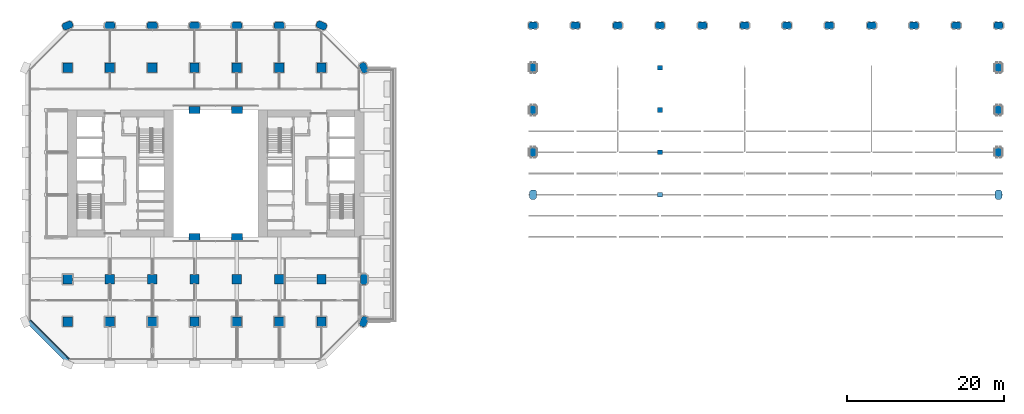
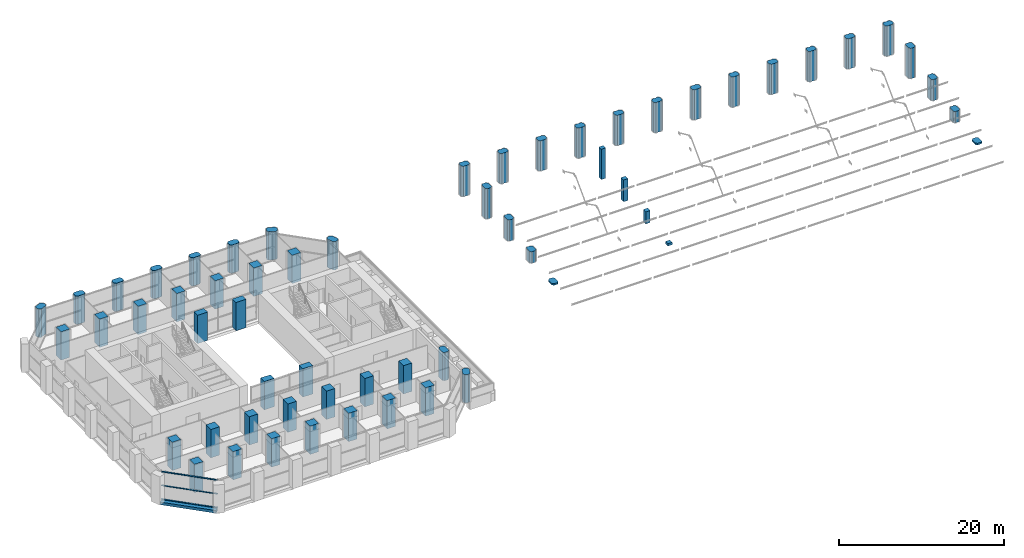
# One storey, part 1 of 23: 59 columns, 3 members, 1 beam, 1 element without a shape of its own.
"""IFC4 building model written with IfcOpenShell, lengths in metres."""

from ifc_helpers import new_model, si_unit, direction, frame, origin, origin_2d, place, context, subcontext, project, spatial, polyline, rectangle, outline, extrude, material, material_profile, profile_set, type_object, element, aggregate, save


model = new_model("IFC4")

# Units and contexts
model_context = context("Model", 3, precision=1e-05, world=origin(), true_north=direction((0.0, 1.0)))
body_context = subcontext(model_context, "Body", "Model", "MODEL_VIEW")
ifc_project = project(units=[si_unit("LENGTHUNIT", "METRE"), si_unit("AREAUNIT", "SQUARE_METRE"), si_unit("VOLUMEUNIT", "CUBIC_METRE"), si_unit("PLANEANGLEUNIT", "RADIAN"), si_unit("MASSUNIT", "GRAM", prefix="KILO")], contexts=[model_context])

# Site, building, storey
site_placement = place(None, origin())
site = spatial("IfcSite", under=ifc_project, at=site_placement, CompositionType="ELEMENT")
building_placement = place(site_placement, origin())
building = spatial("IfcBuilding", under=site, at=building_placement, Name="Tabaq Tower and Sports Hall", CompositionType="ELEMENT")
storey_placement = place(building_placement, frame((0.0, 0.0, 29.10009765625)))
storey = spatial("IfcBuildingStorey", under=building, at=storey_placement, Name="L05", CompositionType="ELEMENT", Elevation=29.10009765625)

# Columns
ifc_material_1 = material(Name="Concrete C50/60", Category="concrete")
ifc_material_profile_1 = material_profile(ifc_material_1, rectangle(XDim=0.60009765625, YDim=0.60009765625, at=origin_2d()), Name="RC 600x600")
ifc_profile_set_1 = profile_set([ifc_material_profile_1], Name="Concrete C50/60")
column_type_1 = type_object("IfcColumnType", Name="HALL COLUMN RC 600x600", PredefinedType="COLUMN", material=ifc_profile_set_1)
column_1_placement = place(storey_placement, frame((81.0, 21.60009765625, 0.0), z_axis=(0.0, 0.0, 1.0), x_axis=(1.0, 0.0, 0.0)))
element("IfcColumn", 1, at=column_1_placement, inside=storey, type_object=column_type_1, Name="Column 16E L05", PredefinedType="COLUMN", context=body_context, shape_type="SweptSolid", body=[
    extrude(rectangle(XDim=0.60009765625, YDim=0.60009765625, at=origin_2d()), origin(), (0.0, 0.0, 1.0), 0.329345703125),
])
column_2_placement = place(storey_placement, frame((81.0, 27.0, 0.0), z_axis=(0.0, 0.0, 1.0), x_axis=(1.0, 0.0, 0.0)))
element("IfcColumn", 2, at=column_2_placement, inside=storey, type_object=column_type_1, Name="Column 16F L05", PredefinedType="COLUMN", context=body_context, shape_type="SweptSolid", body=[
    extrude(rectangle(XDim=0.60009765625, YDim=0.60009765625, at=origin_2d()), origin(), (0.0, 0.0, 1.0), 1.7763671875),
])
column_3_placement = place(storey_placement, frame((81.0, 32.39990234375, 0.0), z_axis=(0.0, 0.0, 1.0), x_axis=(1.0, 0.0, 0.0)))
element("IfcColumn", 3, at=column_3_placement, inside=storey, type_object=column_type_1, Name="Column 16G L05", PredefinedType="COLUMN", context=body_context, shape_type="SweptSolid", body=[
    extrude(rectangle(XDim=0.60009765625, YDim=0.60009765625, at=origin_2d()), origin(), (0.0, 0.0, 1.0), 3.22314453125),
])
column_4_placement = place(storey_placement, frame((81.0, 37.800048828125, 0.0), z_axis=(0.0, 0.0, 1.0), x_axis=(1.0, 0.0, 0.0)))
element("IfcColumn", 4, at=column_4_placement, inside=storey, type_object=column_type_1, Name="Column 16H L05", PredefinedType="COLUMN", context=body_context, shape_type="SweptSolid", body=[
    extrude(rectangle(XDim=0.60009765625, YDim=0.60009765625, at=origin_2d()), origin(), (0.0, 0.0, 1.0), 4.5),
])
ifc_material_2 = material(Name="Concrete C50/60", Category="concrete")
ifc_material_profile_2 = material_profile(ifc_material_2, outline(polyline([(-0.39990234375, -0.449951171875), (0.39990234375, -0.449951171875), (0.60009765625, -0.25), (0.60009765625, 0.25), (0.39990234375, 0.449951171875), (-0.39990234375, 0.449951171875), (-0.60009765625, 0.25), (-0.60009765625, -0.25), (-0.39990234375, -0.449951171875)])), Name="PIER 1200x900")
ifc_profile_set_2 = profile_set([ifc_material_profile_2], Name="Concrete C50/60")
column_type_2 = type_object("IfcColumnType", Name="HALL PIER RC 1200x900", PredefinedType="COLUMN", material=ifc_profile_set_2)
column_5_placement = place(storey_placement, frame((64.800048828125, 21.60009765625, 0.0), z_axis=(0.0, 0.0, 1.0), x_axis=(0.0, 1.0, 0.0)))
element("IfcColumn", 5, at=column_5_placement, inside=storey, type_object=column_type_2, Name="Pier 13E L05", PredefinedType="COLUMN", context=body_context, shape_type="SweptSolid", body=[
    extrude(outline(polyline([(-0.39990234375, -0.449951171875), (0.39990234375, -0.449951171875), (0.60009765625, -0.25), (0.60009765625, 0.25), (0.39990234375, 0.449951171875), (-0.39990234375, 0.449951171875), (-0.60009765625, 0.25), (-0.60009765625, -0.25), (-0.39990234375, -0.449951171875)])), origin(), (0.0, 0.0, 1.0), 0.2490234375),
])
column_6_placement = place(storey_placement, frame((64.800048828125, 27.0, 0.0), z_axis=(0.0, 0.0, 1.0), x_axis=(0.0, 1.0, 0.0)))
element("IfcColumn", 6, at=column_6_placement, inside=storey, type_object=column_type_2, Name="Pier 13F L05", PredefinedType="COLUMN", context=body_context, shape_type="SweptSolid", body=[
    extrude(outline(polyline([(-0.39990234375, -0.449951171875), (0.39990234375, -0.449951171875), (0.60009765625, -0.25), (0.60009765625, 0.25), (0.39990234375, 0.449951171875), (-0.39990234375, 0.449951171875), (-0.60009765625, 0.25), (-0.60009765625, -0.25), (-0.39990234375, -0.449951171875)])), origin(), (0.0, 0.0, 1.0), 1.69580078125),
])
column_7_placement = place(storey_placement, frame((64.800048828125, 32.39990234375, 0.0), z_axis=(0.0, 0.0, 1.0), x_axis=(0.0, 1.0, 0.0)))
element("IfcColumn", 7, at=column_7_placement, inside=storey, type_object=column_type_2, Name="Pier 13G L05", PredefinedType="COLUMN", context=body_context, shape_type="SweptSolid", body=[
    extrude(outline(polyline([(-0.39990234375, -0.449951171875), (0.39990234375, -0.449951171875), (0.60009765625, -0.25), (0.60009765625, 0.25), (0.39990234375, 0.449951171875), (-0.39990234375, 0.449951171875), (-0.60009765625, 0.25), (-0.60009765625, -0.25), (-0.39990234375, -0.449951171875)])), origin(), (0.0, 0.0, 1.0), 3.142822265625),
])
for number, where, z_axis, x_axis, name in (
    (8, (64.800048828125, 37.800048828125, 0.0), (0.0, 0.0, 1.0), (0.0, 1.0, 0.0), "Pier 13H L05"),
    (9, (64.800048828125, 43.199951171875, 0.0), (0.0, 0.0, 1.0), (1.0, 0.0, 0.0), "Pier 13I L05"),
    (10, (70.199951171875, 43.199951171875, 0.0), (0.0, 0.0, 1.0), (1.0, 0.0, 0.0), "Pier 14I L05"),
    (11, (75.60009765625, 43.199951171875, 0.0), (0.0, 0.0, 1.0), (1.0, 0.0, 0.0), "Pier 15I L05"),
    (12, (81.0, 43.199951171875, 0.0), (0.0, 0.0, 1.0), (1.0, 0.0, 0.0), "Pier 16I L05"),
    (13, (86.39990234375, 43.199951171875, 0.0), (0.0, 0.0, 1.0), (1.0, 0.0, 0.0), "Pier 17I L05"),
    (14, (91.800048828125, 43.199951171875, 0.0), (0.0, 0.0, 1.0), (1.0, 0.0, 0.0), "Pier 18I L05"),
    (15, (97.199951171875, 43.199951171875, 0.0), (0.0, 0.0, 1.0), (1.0, 0.0, 0.0), "Pier 19I L05"),
    (16, (102.60009765625, 43.199951171875, 0.0), (0.0, 0.0, 1.0), (1.0, 0.0, 0.0), "Pier 20I L05"),
    (17, (108.0, 43.199951171875, 0.0), (0.0, 0.0, 1.0), (1.0, 0.0, 0.0), "Pier 21I L05"),
    (18, (113.39990234375, 43.199951171875, 0.0), (0.0, 0.0, 1.0), (1.0, 0.0, 0.0), "Pier 22I L05"),
    (19, (118.800048828125, 43.199951171875, 0.0), (0.0, 0.0, 1.0), (1.0, 0.0, 0.0), "Pier 23I L05"),
):
    element("IfcColumn", number, at=place(storey_placement, frame(where, z_axis=z_axis, x_axis=x_axis)), inside=storey, type_object=column_type_2, Name=name, PredefinedType="COLUMN", context=body_context, shape_type="SweptSolid", body=[
        extrude(outline(polyline([(-0.39990234375, -0.449951171875), (0.39990234375, -0.449951171875), (0.60009765625, -0.25), (0.60009765625, 0.25), (0.39990234375, 0.449951171875), (-0.39990234375, 0.449951171875), (-0.60009765625, 0.25), (-0.60009765625, -0.25), (-0.39990234375, -0.449951171875)])), origin(), (0.0, 0.0, 1.0), 4.5),
    ])
column_8_placement = place(storey_placement, frame((124.199951171875, 21.60009765625, 0.0), z_axis=(0.0, 0.0, 1.0), x_axis=(0.0, 1.0, 0.0)))
element("IfcColumn", 20, at=column_8_placement, inside=storey, type_object=column_type_2, Name="Pier 24E L05", PredefinedType="COLUMN", context=body_context, shape_type="SweptSolid", body=[
    extrude(outline(polyline([(-0.39990234375, -0.449951171875), (0.39990234375, -0.449951171875), (0.60009765625, -0.25), (0.60009765625, 0.25), (0.39990234375, 0.449951171875), (-0.39990234375, 0.449951171875), (-0.60009765625, 0.25), (-0.60009765625, -0.25), (-0.39990234375, -0.449951171875)])), origin(), (0.0, 0.0, 1.0), 0.2490234375),
])
column_9_placement = place(storey_placement, frame((124.199951171875, 27.0, 0.0), z_axis=(0.0, 0.0, 1.0), x_axis=(0.0, 1.0, 0.0)))
element("IfcColumn", 21, at=column_9_placement, inside=storey, type_object=column_type_2, Name="Pier 24F L05", PredefinedType="COLUMN", context=body_context, shape_type="SweptSolid", body=[
    extrude(outline(polyline([(-0.39990234375, -0.449951171875), (0.39990234375, -0.449951171875), (0.60009765625, -0.25), (0.60009765625, 0.25), (0.39990234375, 0.449951171875), (-0.39990234375, 0.449951171875), (-0.60009765625, 0.25), (-0.60009765625, -0.25), (-0.39990234375, -0.449951171875)])), origin(), (0.0, 0.0, 1.0), 1.69580078125),
])
column_10_placement = place(storey_placement, frame((124.199951171875, 32.39990234375, 0.0), z_axis=(0.0, 0.0, 1.0), x_axis=(0.0, 1.0, 0.0)))
element("IfcColumn", 22, at=column_10_placement, inside=storey, type_object=column_type_2, Name="Pier 24G L05", PredefinedType="COLUMN", context=body_context, shape_type="SweptSolid", body=[
    extrude(outline(polyline([(-0.39990234375, -0.449951171875), (0.39990234375, -0.449951171875), (0.60009765625, -0.25), (0.60009765625, 0.25), (0.39990234375, 0.449951171875), (-0.39990234375, 0.449951171875), (-0.60009765625, 0.25), (-0.60009765625, -0.25), (-0.39990234375, -0.449951171875)])), origin(), (0.0, 0.0, 1.0), 3.142822265625),
])
for number, where, z_axis, x_axis, name in (
    (23, (124.199951171875, 37.800048828125, 0.0), (0.0, 0.0, 1.0), (0.0, 1.0, 0.0), "Pier 24H L05"),
    (24, (124.199951171875, 43.199951171875, 0.0), (0.0, 0.0, 1.0), (1.0, 0.0, 0.0), "Pier 24I L05"),
):
    element("IfcColumn", number, at=place(storey_placement, frame(where, z_axis=z_axis, x_axis=x_axis)), inside=storey, type_object=column_type_2, Name=name, PredefinedType="COLUMN", context=body_context, shape_type="SweptSolid", body=[
        extrude(outline(polyline([(-0.39990234375, -0.449951171875), (0.39990234375, -0.449951171875), (0.60009765625, -0.25), (0.60009765625, 0.25), (0.39990234375, 0.449951171875), (-0.39990234375, 0.449951171875), (-0.60009765625, 0.25), (-0.60009765625, -0.25), (-0.39990234375, -0.449951171875)])), origin(), (0.0, 0.0, 1.0), 4.5),
    ])
ifc_material_3 = material(Name="Concrete C60/75", Category="concrete")
ifc_material_profile_3 = material_profile(ifc_material_3, rectangle(XDim=1.39990234375, YDim=0.89990234375, at=origin_2d()), Name="ATRIUM COLUMN 1400x900")
ifc_profile_set_3 = profile_set([ifc_material_profile_3], Name="Concrete C60/75")
column_type_3 = type_object("IfcColumnType", Name="RC COLUMN ATRIUM COLUMN 1400x900 C60/75", PredefinedType="COLUMN", material=ifc_profile_set_3)
for number, where, z_axis, x_axis, name in (
    (25, (21.60009765625, 16.199951171875, 0.0), (0.0, 0.0, 1.0), (1.0, 0.0, 0.0), "Atrium Column 5/D L05"),
    (26, (27.0, 16.199951171875, 0.0), (0.0, 0.0, 1.0), (1.0, 0.0, 0.0), "Atrium Column 6/D L05"),
    (27, (21.60009765625, 32.39990234375, 0.0), (0.0, 0.0, 1.0), (1.0, 0.0, 0.0), "Atrium Column 5/G L05"),
    (28, (27.0, 32.39990234375, 0.0), (0.0, 0.0, 1.0), (1.0, 0.0, 0.0), "Atrium Column 6/G L05"),
):
    element("IfcColumn", number, at=place(storey_placement, frame(where, z_axis=z_axis, x_axis=x_axis)), inside=storey, type_object=column_type_3, Name=name, PredefinedType="COLUMN", context=body_context, shape_type="SweptSolid", body=[
        extrude(rectangle(XDim=1.39990234375, YDim=0.89990234375, at=origin_2d()), origin(), (0.0, 0.0, 1.0), 4.199951171875),
    ])
ifc_material_4 = material(Name="Concrete C60/75", Category="concrete")
ifc_material_profile_4 = material_profile(ifc_material_4, rectangle(XDim=1.199951171875, YDim=1.199951171875, at=origin_2d()), Name="COLUMN 1200x1200")
ifc_profile_set_4 = profile_set([ifc_material_profile_4], Name="Concrete C60/75")
column_type_4 = type_object("IfcColumnType", Name="RC COLUMN COLUMN 1200x1200 C60/75", PredefinedType="COLUMN", material=ifc_profile_set_4)
for number, where, z_axis, x_axis, name in (
    (29, (5.39990234375, 5.39990234375, 0.0), (0.0, 0.0, 1.0), (1.0, 0.0, 0.0), "Column 2/B L05"),
    (30, (10.800048828125, 5.39990234375, 0.0), (0.0, 0.0, 1.0), (1.0, 0.0, 0.0), "Column 3/B L05"),
    (31, (16.199951171875, 5.39990234375, 0.0), (0.0, 0.0, 1.0), (1.0, 0.0, 0.0), "Column 4/B L05"),
    (32, (21.60009765625, 5.39990234375, 0.0), (0.0, 0.0, 1.0), (1.0, 0.0, 0.0), "Column 5/B L05"),
    (33, (27.0, 5.39990234375, 0.0), (0.0, 0.0, 1.0), (1.0, 0.0, 0.0), "Column 6/B L05"),
    (34, (32.39990234375, 5.39990234375, 0.0), (0.0, 0.0, 1.0), (1.0, 0.0, 0.0), "Column 7/B L05"),
    (35, (37.800048828125, 5.39990234375, 0.0), (0.0, 0.0, 1.0), (1.0, 0.0, 0.0), "Column 8/B L05"),
    (36, (5.39990234375, 10.800048828125, 0.0), (0.0, 0.0, 1.0), (1.0, 0.0, 0.0), "Column 2/C L05"),
    (37, (10.800048828125, 10.800048828125, 0.0), (0.0, 0.0, 1.0), (1.0, 0.0, 0.0), "Column 3/C L05"),
    (38, (16.199951171875, 10.800048828125, 0.0), (0.0, 0.0, 1.0), (1.0, 0.0, 0.0), "Column 4/C L05"),
    (39, (21.60009765625, 10.800048828125, 0.0), (0.0, 0.0, 1.0), (1.0, 0.0, 0.0), "Column 5/C L05"),
    (40, (27.0, 10.800048828125, 0.0), (0.0, 0.0, 1.0), (1.0, 0.0, 0.0), "Column 6/C L05"),
    (41, (32.39990234375, 10.800048828125, 0.0), (0.0, 0.0, 1.0), (1.0, 0.0, 0.0), "Column 7/C L05"),
    (42, (37.800048828125, 10.800048828125, 0.0), (0.0, 0.0, 1.0), (1.0, 0.0, 0.0), "Column 8/C L05"),
    (43, (5.39990234375, 37.800048828125, 0.0), (0.0, 0.0, 1.0), (1.0, 0.0, 0.0), "Column 2/H L05"),
    (44, (10.800048828125, 37.800048828125, 0.0), (0.0, 0.0, 1.0), (1.0, 0.0, 0.0), "Column 3/H L05"),
    (45, (16.199951171875, 37.800048828125, 0.0), (0.0, 0.0, 1.0), (1.0, 0.0, 0.0), "Column 4/H L05"),
    (46, (21.60009765625, 37.800048828125, 0.0), (0.0, 0.0, 1.0), (1.0, 0.0, 0.0), "Column 5/H L05"),
    (47, (27.0, 37.800048828125, 0.0), (0.0, 0.0, 1.0), (1.0, 0.0, 0.0), "Column 6/H L05"),
    (48, (32.39990234375, 37.800048828125, 0.0), (0.0, 0.0, 1.0), (1.0, 0.0, 0.0), "Column 7/H L05"),
    (49, (37.800048828125, 37.800048828125, 0.0), (0.0, 0.0, 1.0), (1.0, 0.0, 0.0), "Column 8/H L05"),
):
    element("IfcColumn", number, at=place(storey_placement, frame(where, z_axis=z_axis, x_axis=x_axis)), inside=storey, type_object=column_type_4, Name=name, PredefinedType="COLUMN", context=body_context, shape_type="SweptSolid", body=[
        extrude(rectangle(XDim=1.199951171875, YDim=1.199951171875, at=origin_2d()), origin(), (0.0, 0.0, 1.0), 4.199951171875),
    ])
ifc_material_5 = material(Name="Concrete C60/75", Category="concrete")
ifc_material_profile_5 = material_profile(ifc_material_5, outline(polyline([(-0.449951171875, -0.449951171875), (0.449951171875, -0.449951171875), (0.675048828125, -0.22509765625), (0.675048828125, 0.22509765625), (0.449951171875, 0.449951171875), (-0.449951171875, 0.449951171875), (-0.675048828125, 0.22509765625), (-0.675048828125, -0.22509765625), (-0.449951171875, -0.449951171875)])), Name="PIER 1350x900")
ifc_profile_set_5 = profile_set([ifc_material_profile_5], Name="Concrete C60/75")
column_type_5 = type_object("IfcColumnType", Name="RC COLUMN PIER 1350x900 C60/75", PredefinedType="COLUMN", material=ifc_profile_set_5)
for number, where, z_axis, x_axis, name in (
    (50, (43.199951171875, 5.39990234375, 0.0), (0.0, 0.0, 1.0), (0.382683432365, 0.923879532511, 0.0), "Pier 9/B L05"),
    (51, (43.199951171875, 10.800048828125, 0.0), (0.0, 0.0, 1.0), (0.0, 1.0, 0.0), "Pier 9/C L05"),
    (52, (43.199951171875, 37.800048828125, 0.0), (0.0, 0.0, 1.0), (-0.382683432365, 0.923879532511, 0.0), "Pier 9/H L05"),
    (53, (5.39990234375, 43.199951171875, 0.0), (0.0, 0.0, 1.0), (0.923879532511, 0.382683432365, 0.0), "Pier 2/I L05"),
    (54, (10.800048828125, 43.199951171875, 0.0), (0.0, 0.0, 1.0), (1.0, 0.0, 0.0), "Pier 3/I L05"),
    (55, (16.199951171875, 43.199951171875, 0.0), (0.0, 0.0, 1.0), (1.0, 0.0, 0.0), "Pier 4/I L05"),
    (56, (21.60009765625, 43.199951171875, 0.0), (0.0, 0.0, 1.0), (1.0, 0.0, 0.0), "Pier 5/I L05"),
    (57, (27.0, 43.199951171875, 0.0), (0.0, 0.0, 1.0), (1.0, 0.0, 0.0), "Pier 6/I L05"),
    (58, (32.39990234375, 43.199951171875, 0.0), (0.0, 0.0, 1.0), (1.0, 0.0, 0.0), "Pier 7/I L05"),
    (59, (37.800048828125, 43.199951171875, 0.0), (0.0, 0.0, 1.0), (-0.923879532511, 0.382683432365, 0.0), "Pier 8/I L05"),
):
    element("IfcColumn", number, at=place(storey_placement, frame(where, z_axis=z_axis, x_axis=x_axis)), inside=storey, type_object=column_type_5, Name=name, PredefinedType="COLUMN", context=body_context, shape_type="SweptSolid", body=[
        extrude(outline(polyline([(-0.449951171875, -0.449951171875), (0.449951171875, -0.449951171875), (0.675048828125, -0.22509765625), (0.675048828125, 0.22509765625), (0.449951171875, 0.449951171875), (-0.449951171875, 0.449951171875), (-0.675048828125, 0.22509765625), (-0.675048828125, -0.22509765625), (-0.449951171875, -0.449951171875)])), origin(), (0.0, 0.0, 1.0), 4.199951171875),
    ])

# Curtain wall, members
ifc_material_6 = material(Name="Aluminium alloy 6063-T6 framed glazing", Category="aluminium")
curtain_wall_type = type_object("IfcCurtainWallType", Name="CW7 curtain wall", PredefinedType="USERDEFINED", material=ifc_material_6)
curtain_wall_placement = place(storey_placement, origin())
curtain_wall = element("IfcCurtainWall", 60, at=curtain_wall_placement, inside=storey, type_object=curtain_wall_type, Name="Podium Wall L05 SW", ObjectType="PODIUM WALL", PredefinedType="USERDEFINED")
ifc_material_7 = material(Name="Aluminium alloy 6063-T6", Category="aluminium")
ifc_material_profile_6 = material_profile(ifc_material_7, rectangle(XDim=0.139892578125, YDim=0.06494140625, at=origin_2d()), Name="TRANSOM 140x65")
ifc_profile_set_6 = profile_set([ifc_material_profile_6], Name="Aluminium alloy 6063-T6")
member_type = type_object("IfcMemberType", Name="CW7 transom 140x65", PredefinedType="USERDEFINED", material=ifc_profile_set_6)
member_1_placement = place(storey_placement, frame((0.64599609375, 5.6025390625, 0.06982421875), z_axis=(0.707106781187, -0.707106781187, 0.0), x_axis=(0.707106781187, 0.707106781187, 0.0)))
member_1 = element("IfcMember", 61, at=member_1_placement, type_object=member_type, Name="CW7 transom 1.1", ObjectType="TRANSOM", PredefinedType="USERDEFINED", context=body_context, shape_type="SweptSolid", body=[
    extrude(rectangle(XDim=0.139892578125, YDim=0.06494140625, at=origin_2d()), origin(), (0.0, 0.0, 1.0), 7.009521484375),
])
member_2_placement = place(storey_placement, frame((0.64599609375, 5.6025390625, 2.099853515625), z_axis=(0.707106781187, -0.707106781187, 0.0), x_axis=(0.707106781187, 0.707106781187, 0.0)))
member_2 = element("IfcMember", 62, at=member_2_placement, type_object=member_type, Name="CW7 transom 1.2", ObjectType="TRANSOM", PredefinedType="USERDEFINED", context=body_context, shape_type="SweptSolid", body=[
    extrude(rectangle(XDim=0.139892578125, YDim=0.06494140625, at=origin_2d()), origin(), (0.0, 0.0, 1.0), 7.009521484375),
])
member_3_placement = place(storey_placement, frame((0.64599609375, 5.6025390625, 4.1298828125), z_axis=(0.707106781187, -0.707106781187, 0.0), x_axis=(0.707106781187, 0.707106781187, 0.0)))
member_3 = element("IfcMember", 63, at=member_3_placement, type_object=member_type, Name="CW7 transom 1.3", ObjectType="TRANSOM", PredefinedType="USERDEFINED", context=body_context, shape_type="SweptSolid", body=[
    extrude(rectangle(XDim=0.139892578125, YDim=0.06494140625, at=origin_2d()), origin(), (0.0, 0.0, 1.0), 7.009521484375),
])
aggregate(curtain_wall, [member_1, member_2, member_3])

# Beam
ifc_material_8 = material(Name="Concrete C40/50", Category="concrete")
ifc_material_profile_7 = material_profile(ifc_material_8, rectangle(XDim=0.60009765625, YDim=0.39990234375, at=origin_2d()), Name="EB 600x400")
ifc_profile_set_7 = profile_set([ifc_material_profile_7], Name="Concrete C40/50")
beam_type = type_object("IfcBeamType", Name="PT EDGE BEAM EB 600x400 C40/50", PredefinedType="SPANDREL", material=ifc_profile_set_7)
beam_placement = place(storey_placement, frame((0.42333984375, 5.401123046875, -0.2001953125), z_axis=(0.707106781187, -0.707106781187, 0.0), x_axis=(0.707106781187, 0.707106781187, 0.0)))
element("IfcBeam", 64, at=beam_placement, inside=storey, type_object=beam_type, Name="Edge Beam L05 5", PredefinedType="SPANDREL", context=body_context, shape_type="SweptSolid", body=[
    extrude(rectangle(XDim=0.60009765625, YDim=0.39990234375, at=origin_2d()), origin(), (0.0, 0.0, 1.0), 7.03955078125),
])

save(model, "model.ifc")
